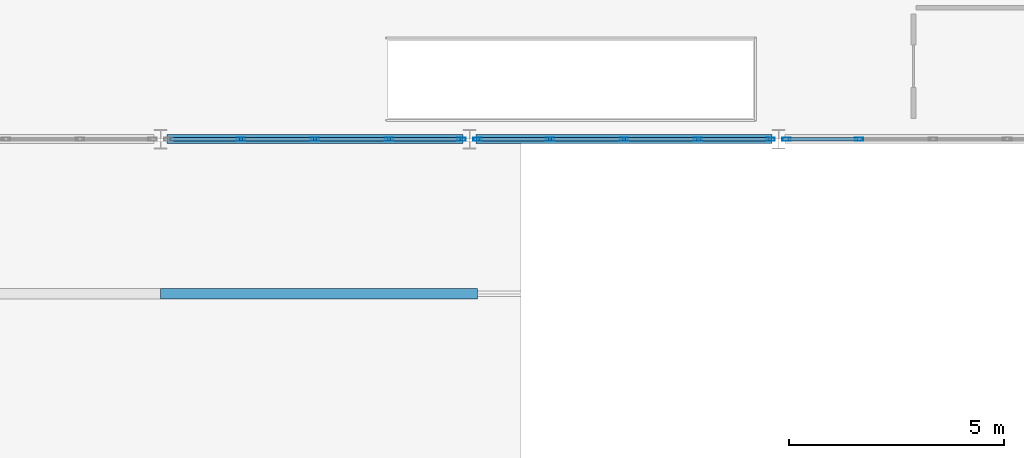
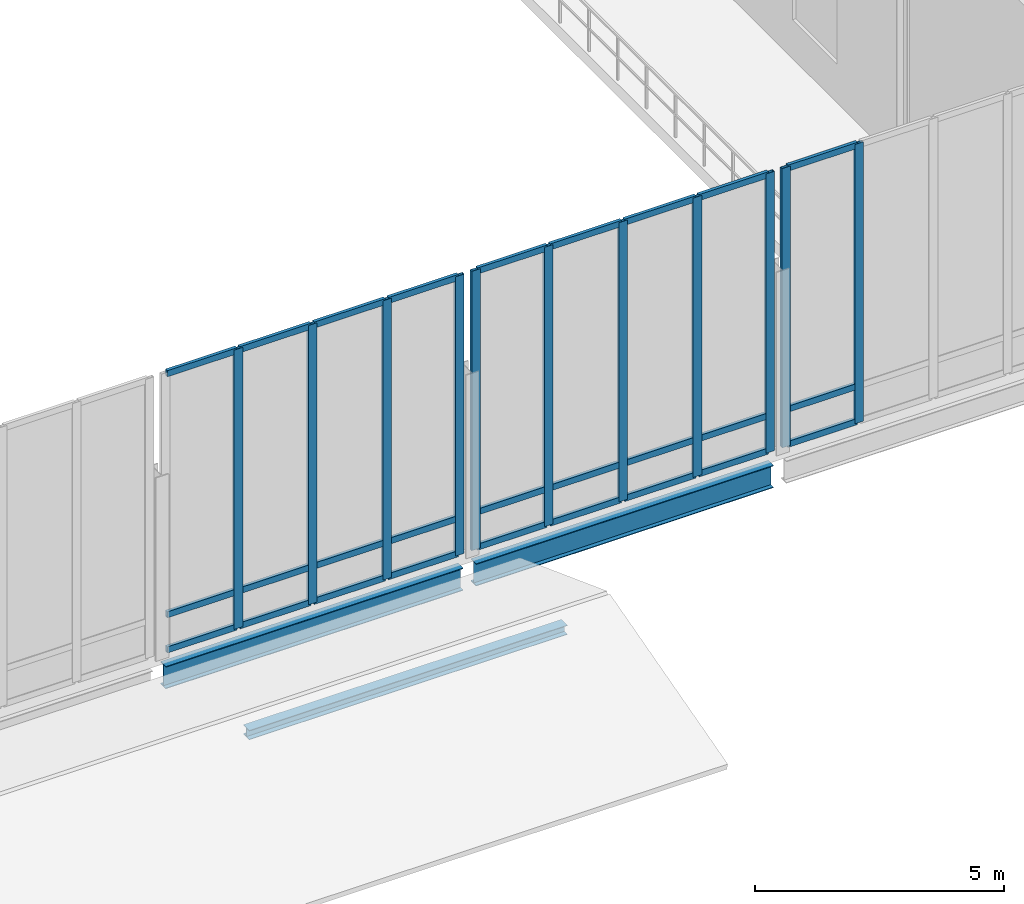
# One storey, part 24 of 110: 38 members, 3 beams, 3 elements without a shape of their own.
"""IFC4 building model written with IfcOpenShell, lengths in metres."""

from ifc_helpers import new_model, si_unit, direction, frame, origin, origin_2d, place, context, subcontext, project, spatial, hollow_rectangle, i_section, extrude, material, material_profile, profile_set, type_object, element, aggregate, save


model = new_model("IFC4")

# Units and contexts
model_context = context("Model", 3, precision=1e-05, world=origin(), true_north=direction((0.0, 1.0)))
body_context = subcontext(model_context, "Body", "Model", "MODEL_VIEW")
ifc_project = project(units=[si_unit("LENGTHUNIT", "METRE"), si_unit("AREAUNIT", "SQUARE_METRE"), si_unit("VOLUMEUNIT", "CUBIC_METRE"), si_unit("PLANEANGLEUNIT", "RADIAN"), si_unit("MASSUNIT", "GRAM", prefix="KILO")], contexts=[model_context])

# Site, building, storey
site_placement = place(None, origin())
site = spatial("IfcSite", under=ifc_project, at=site_placement, CompositionType="ELEMENT")
building_placement = place(site_placement, origin())
building = spatial("IfcBuilding", under=site, at=building_placement, Name="Suanplinth Sawtooth Commons", CompositionType="ELEMENT")
storey_placement = place(building_placement, frame((0.0, 0.0, 4.5)))
storey = spatial("IfcBuildingStorey", under=building, at=storey_placement, Name="L01", CompositionType="ELEMENT", Elevation=4.5)

# Beams
ifc_material_1 = material(Name="Steel S355JR", Category="steel")
ifc_material_profile_1 = material_profile(ifc_material_1, i_section(OverallWidth=0.2099609375, OverallDepth=0.550048828125, WebThickness=0.010986328125, FlangeThickness=0.01708984375, at=origin_2d()), Name="IPE 550")
ifc_profile_set_1 = profile_set([ifc_material_profile_1], Name="Steel S355JR")
beam_type_1 = type_object("IfcBeamType", Name="B-10", PredefinedType="USERDEFINED", material=ifc_profile_set_1)
beam_1_placement = place(storey_placement, frame((93.75, 50.39990234375, -0.574951171875), z_axis=(1.0, 0.0, 0.0), x_axis=(0.0, 1.0, 0.0)))
element("IfcBeam", 1, at=beam_1_placement, inside=storey, type_object=beam_type_1, Name="BMX-L01-HALL-13-7", ObjectType="GIRDER", PredefinedType="USERDEFINED", context=body_context, shape_type="SweptSolid", body=[
    extrude(i_section(OverallWidth=0.2099609375, OverallDepth=0.550048828125, WebThickness=0.010986328125, FlangeThickness=0.01708984375, at=origin_2d()), origin(), (0.0, 0.0, 1.0), 6.89990234375),
])
beam_2_placement = place(storey_placement, frame((100.949951171875, 50.39990234375, -0.574951171875), z_axis=(1.0, 0.0, 0.0), x_axis=(0.0, 1.0, 0.0)))
element("IfcBeam", 2, at=beam_2_placement, inside=storey, type_object=beam_type_1, Name="BMX-L01-HALL-14-7", ObjectType="GIRDER", PredefinedType="USERDEFINED", context=body_context, shape_type="SweptSolid", body=[
    extrude(i_section(OverallWidth=0.2099609375, OverallDepth=0.550048828125, WebThickness=0.010986328125, FlangeThickness=0.01708984375, at=origin_2d()), origin(), (0.0, 0.0, 1.0), 6.900146484375),
])
ifc_material_profile_2 = material_profile(ifc_material_1, i_section(OverallWidth=0.239990234375, OverallDepth=0.22998046875, WebThickness=0.007568359375, FlangeThickness=0.011962890625, at=origin_2d()), Name="HEA 240")
ifc_profile_set_2 = profile_set([ifc_material_profile_2], Name="Steel S355JR")
beam_type_2 = type_object("IfcBeamType", Name="B-17", PredefinedType="BEAM", material=ifc_profile_set_2)
beam_3_placement = place(storey_placement, frame((93.60009765625, 46.800048828125, 0.260009765625), z_axis=(1.0, 0.0, 0.0), x_axis=(0.0, 1.0, 0.0)))
element("IfcBeam", 3, at=beam_3_placement, inside=storey, type_object=beam_type_2, Name="Metro Portal Ridge Beam 3", PredefinedType="BEAM", context=body_context, shape_type="SweptSolid", body=[
    extrude(i_section(OverallWidth=0.239990234375, OverallDepth=0.22998046875, WebThickness=0.007568359375, FlangeThickness=0.011962890625, at=origin_2d()), origin(), (0.0, 0.0, 1.0), 7.3798828125),
])

# Curtain wall, members
ifc_material_2 = material(Name="Anodized aluminium and low-E glazing", Category="aluminium")
curtain_wall_type = type_object("IfcCurtainWallType", Name="CW-01", PredefinedType="USERDEFINED", material=ifc_material_2)
curtain_wall_1_placement = place(storey_placement, origin())
curtain_wall_1 = element("IfcCurtainWall", 4, at=curtain_wall_1_placement, inside=storey, type_object=curtain_wall_type, Name="Curtain Wall CW-L01-HALL-S-4", ObjectType="CURTAIN WALL", PredefinedType="USERDEFINED")
ifc_material_3 = material(Name="Anodized aluminium 6063-T6", Category="aluminium")
ifc_material_profile_3 = material_profile(ifc_material_3, hollow_rectangle(XDim=0.074951171875, YDim=0.199951171875, WallThickness=0.0048828125, at=origin_2d()), Name="ALU-MUL 75x200")
ifc_profile_set_3 = profile_set([ifc_material_profile_3], Name="Anodized aluminium 6063-T6")
member_type_1 = type_object("IfcMemberType", Name="M-14", PredefinedType="MULLION", material=ifc_profile_set_3)
member_1_placement = place(storey_placement, frame((95.47509765625, 50.39990234375, 0.0), z_axis=(0.0, 0.0, 1.0), x_axis=(0.0, 1.0, 0.0)))
member_1 = element("IfcMember", 5, at=member_1_placement, type_object=member_type_1, Name="CW-01 mullion 2", PredefinedType="MULLION", context=body_context, shape_type="SweptSolid", body=[
    extrude(hollow_rectangle(XDim=0.074951171875, YDim=0.199951171875, WallThickness=0.0048828125, at=origin_2d()), origin(), (0.0, 0.0, 1.0), 6.85009765625),
])
member_2_placement = place(storey_placement, frame((97.199951171875, 50.39990234375, 0.0), z_axis=(0.0, 0.0, 1.0), x_axis=(0.0, 1.0, 0.0)))
member_2 = element("IfcMember", 6, at=member_2_placement, type_object=member_type_1, Name="CW-01 mullion 3", PredefinedType="MULLION", context=body_context, shape_type="SweptSolid", body=[
    extrude(hollow_rectangle(XDim=0.074951171875, YDim=0.199951171875, WallThickness=0.0048828125, at=origin_2d()), origin(), (0.0, 0.0, 1.0), 6.85009765625),
])
member_3_placement = place(storey_placement, frame((98.925048828125, 50.39990234375, 0.0), z_axis=(0.0, 0.0, 1.0), x_axis=(0.0, 1.0, 0.0)))
member_3 = element("IfcMember", 7, at=member_3_placement, type_object=member_type_1, Name="CW-01 mullion 4", PredefinedType="MULLION", context=body_context, shape_type="SweptSolid", body=[
    extrude(hollow_rectangle(XDim=0.074951171875, YDim=0.199951171875, WallThickness=0.0048828125, at=origin_2d()), origin(), (0.0, 0.0, 1.0), 6.85009765625),
])
member_4_placement = place(storey_placement, frame((100.612548828125, 50.39990234375, 0.0), z_axis=(0.0, 0.0, 1.0), x_axis=(0.0, 1.0, 0.0)))
member_4 = element("IfcMember", 8, at=member_4_placement, type_object=member_type_1, Name="CW-01 mullion 5", PredefinedType="MULLION", context=body_context, shape_type="SweptSolid", body=[
    extrude(hollow_rectangle(XDim=0.074951171875, YDim=0.199951171875, WallThickness=0.0048828125, at=origin_2d()), origin(), (0.0, 0.0, 1.0), 6.85009765625),
])

curtain_wall_2_placement = place(storey_placement, origin())
curtain_wall_2 = element("IfcCurtainWall", 9, at=curtain_wall_2_placement, inside=storey, type_object=curtain_wall_type, Name="Curtain Wall CW-L01-HALL-S-5", ObjectType="CURTAIN WALL", PredefinedType="USERDEFINED")
member_5_placement = place(storey_placement, frame((100.987548828125, 50.39990234375, 0.0), z_axis=(0.0, 0.0, 1.0), x_axis=(0.0, 1.0, 0.0)))
member_5 = element("IfcMember", 10, at=member_5_placement, type_object=member_type_1, Name="CW-01 mullion 1", PredefinedType="MULLION", context=body_context, shape_type="SweptSolid", body=[
    extrude(hollow_rectangle(XDim=0.074951171875, YDim=0.199951171875, WallThickness=0.0048828125, at=origin_2d()), origin(), (0.0, 0.0, 1.0), 6.85009765625),
])
member_6_placement = place(storey_placement, frame((102.675048828125, 50.39990234375, 0.0), z_axis=(0.0, 0.0, 1.0), x_axis=(0.0, 1.0, 0.0)))
member_6 = element("IfcMember", 11, at=member_6_placement, type_object=member_type_1, Name="CW-01 mullion 2", PredefinedType="MULLION", context=body_context, shape_type="SweptSolid", body=[
    extrude(hollow_rectangle(XDim=0.074951171875, YDim=0.199951171875, WallThickness=0.0048828125, at=origin_2d()), origin(), (0.0, 0.0, 1.0), 6.85009765625),
])
member_7_placement = place(storey_placement, frame((104.39990234375, 50.39990234375, 0.0), z_axis=(0.0, 0.0, 1.0), x_axis=(0.0, 1.0, 0.0)))
member_7 = element("IfcMember", 12, at=member_7_placement, type_object=member_type_1, Name="CW-01 mullion 3", PredefinedType="MULLION", context=body_context, shape_type="SweptSolid", body=[
    extrude(hollow_rectangle(XDim=0.074951171875, YDim=0.199951171875, WallThickness=0.0048828125, at=origin_2d()), origin(), (0.0, 0.0, 1.0), 6.85009765625),
])
member_8_placement = place(storey_placement, frame((106.125, 50.39990234375, 0.0), z_axis=(0.0, 0.0, 1.0), x_axis=(0.0, 1.0, 0.0)))
member_8 = element("IfcMember", 13, at=member_8_placement, type_object=member_type_1, Name="CW-01 mullion 4", PredefinedType="MULLION", context=body_context, shape_type="SweptSolid", body=[
    extrude(hollow_rectangle(XDim=0.074951171875, YDim=0.199951171875, WallThickness=0.0048828125, at=origin_2d()), origin(), (0.0, 0.0, 1.0), 6.85009765625),
])
member_9_placement = place(storey_placement, frame((107.8125, 50.39990234375, 0.0), z_axis=(0.0, 0.0, 1.0), x_axis=(0.0, 1.0, 0.0)))
member_9 = element("IfcMember", 14, at=member_9_placement, type_object=member_type_1, Name="CW-01 mullion 5", PredefinedType="MULLION", context=body_context, shape_type="SweptSolid", body=[
    extrude(hollow_rectangle(XDim=0.074951171875, YDim=0.199951171875, WallThickness=0.0048828125, at=origin_2d()), origin(), (0.0, 0.0, 1.0), 6.85009765625),
])

curtain_wall_3_placement = place(storey_placement, origin())
curtain_wall_3 = element("IfcCurtainWall", 15, at=curtain_wall_3_placement, inside=storey, type_object=curtain_wall_type, Name="Curtain Wall CW-L01-HALL-S-6", ObjectType="CURTAIN WALL", PredefinedType="USERDEFINED")
member_10_placement = place(storey_placement, frame((108.1875, 50.39990234375, 0.0), z_axis=(0.0, 0.0, 1.0), x_axis=(0.0, 1.0, 0.0)))
member_10 = element("IfcMember", 16, at=member_10_placement, type_object=member_type_1, Name="CW-01 mullion 1", PredefinedType="MULLION", context=body_context, shape_type="SweptSolid", body=[
    extrude(hollow_rectangle(XDim=0.074951171875, YDim=0.199951171875, WallThickness=0.0048828125, at=origin_2d()), origin(), (0.0, 0.0, 1.0), 6.85009765625),
])
member_11_placement = place(storey_placement, frame((109.875, 50.39990234375, 0.0), z_axis=(0.0, 0.0, 1.0), x_axis=(0.0, 1.0, 0.0)))
member_11 = element("IfcMember", 17, at=member_11_placement, type_object=member_type_1, Name="CW-01 mullion 2", PredefinedType="MULLION", context=body_context, shape_type="SweptSolid", body=[
    extrude(hollow_rectangle(XDim=0.074951171875, YDim=0.199951171875, WallThickness=0.0048828125, at=origin_2d()), origin(), (0.0, 0.0, 1.0), 6.85009765625),
])

# Member
ifc_material_profile_4 = material_profile(ifc_material_3, hollow_rectangle(XDim=0.074951171875, YDim=0.14990234375, WallThickness=0.00439453125, at=origin_2d()), Name="ALU-TRN 75x150")
ifc_profile_set_4 = profile_set([ifc_material_profile_4], Name="Anodized aluminium 6063-T6")
member_type_2 = type_object("IfcMemberType", Name="M-16", PredefinedType="USERDEFINED", material=ifc_profile_set_4)
member_12_placement = place(storey_placement, frame((93.824951171875, 50.39990234375, 0.03759765625), z_axis=(1.0, 0.0, 0.0), x_axis=(0.0, 1.0, 0.0)))
member_12 = element("IfcMember", 18, at=member_12_placement, type_object=member_type_2, Name="CW-01 transom 1.1", ObjectType="TRANSOM", PredefinedType="USERDEFINED", context=body_context, shape_type="SweptSolid", body=[
    extrude(hollow_rectangle(XDim=0.074951171875, YDim=0.14990234375, WallThickness=0.00439453125, at=origin_2d()), origin(), (0.0, 0.0, 1.0), 1.612548828125),
])

member_13_placement = place(storey_placement, frame((93.824951171875, 50.39990234375, 0.89990234375), z_axis=(1.0, 0.0, 0.0), x_axis=(0.0, 1.0, 0.0)))
member_13 = element("IfcMember", 19, at=member_13_placement, type_object=member_type_2, Name="CW-01 transom 1.2", ObjectType="TRANSOM", PredefinedType="USERDEFINED", context=body_context, shape_type="SweptSolid", body=[
    extrude(hollow_rectangle(XDim=0.074951171875, YDim=0.14990234375, WallThickness=0.00439453125, at=origin_2d()), origin(), (0.0, 0.0, 1.0), 1.612548828125),
])

member_14_placement = place(storey_placement, frame((93.824951171875, 50.39990234375, 6.8125), z_axis=(1.0, 0.0, 0.0), x_axis=(0.0, 1.0, 0.0)))
member_14 = element("IfcMember", 20, at=member_14_placement, type_object=member_type_2, Name="CW-01 transom 1.3", ObjectType="TRANSOM", PredefinedType="USERDEFINED", context=body_context, shape_type="SweptSolid", body=[
    extrude(hollow_rectangle(XDim=0.074951171875, YDim=0.14990234375, WallThickness=0.00439453125, at=origin_2d()), origin(), (0.0, 0.0, 1.0), 1.612548828125),
])

member_15_placement = place(storey_placement, frame((95.512451171875, 50.39990234375, 0.03759765625), z_axis=(1.0, 0.0, 0.0), x_axis=(0.0, 1.0, 0.0)))
member_15 = element("IfcMember", 21, at=member_15_placement, type_object=member_type_2, Name="CW-01 transom 2.1", ObjectType="TRANSOM", PredefinedType="USERDEFINED", context=body_context, shape_type="SweptSolid", body=[
    extrude(hollow_rectangle(XDim=0.074951171875, YDim=0.14990234375, WallThickness=0.00439453125, at=origin_2d()), origin(), (0.0, 0.0, 1.0), 1.650146484375),
])

member_16_placement = place(storey_placement, frame((95.512451171875, 50.39990234375, 0.89990234375), z_axis=(1.0, 0.0, 0.0), x_axis=(0.0, 1.0, 0.0)))
member_16 = element("IfcMember", 22, at=member_16_placement, type_object=member_type_2, Name="CW-01 transom 2.2", ObjectType="TRANSOM", PredefinedType="USERDEFINED", context=body_context, shape_type="SweptSolid", body=[
    extrude(hollow_rectangle(XDim=0.074951171875, YDim=0.14990234375, WallThickness=0.00439453125, at=origin_2d()), origin(), (0.0, 0.0, 1.0), 1.650146484375),
])

member_17_placement = place(storey_placement, frame((95.512451171875, 50.39990234375, 6.8125), z_axis=(1.0, 0.0, 0.0), x_axis=(0.0, 1.0, 0.0)))
member_17 = element("IfcMember", 23, at=member_17_placement, type_object=member_type_2, Name="CW-01 transom 2.3", ObjectType="TRANSOM", PredefinedType="USERDEFINED", context=body_context, shape_type="SweptSolid", body=[
    extrude(hollow_rectangle(XDim=0.074951171875, YDim=0.14990234375, WallThickness=0.00439453125, at=origin_2d()), origin(), (0.0, 0.0, 1.0), 1.650146484375),
])

member_18_placement = place(storey_placement, frame((97.237548828125, 50.39990234375, 0.03759765625), z_axis=(1.0, 0.0, 0.0), x_axis=(0.0, 1.0, 0.0)))
member_18 = element("IfcMember", 24, at=member_18_placement, type_object=member_type_2, Name="CW-01 transom 3.1", ObjectType="TRANSOM", PredefinedType="USERDEFINED", context=body_context, shape_type="SweptSolid", body=[
    extrude(hollow_rectangle(XDim=0.074951171875, YDim=0.14990234375, WallThickness=0.00439453125, at=origin_2d()), origin(), (0.0, 0.0, 1.0), 1.64990234375),
])

member_19_placement = place(storey_placement, frame((97.237548828125, 50.39990234375, 0.89990234375), z_axis=(1.0, 0.0, 0.0), x_axis=(0.0, 1.0, 0.0)))
member_19 = element("IfcMember", 25, at=member_19_placement, type_object=member_type_2, Name="CW-01 transom 3.2", ObjectType="TRANSOM", PredefinedType="USERDEFINED", context=body_context, shape_type="SweptSolid", body=[
    extrude(hollow_rectangle(XDim=0.074951171875, YDim=0.14990234375, WallThickness=0.00439453125, at=origin_2d()), origin(), (0.0, 0.0, 1.0), 1.64990234375),
])

member_20_placement = place(storey_placement, frame((97.237548828125, 50.39990234375, 6.8125), z_axis=(1.0, 0.0, 0.0), x_axis=(0.0, 1.0, 0.0)))
member_20 = element("IfcMember", 26, at=member_20_placement, type_object=member_type_2, Name="CW-01 transom 3.3", ObjectType="TRANSOM", PredefinedType="USERDEFINED", context=body_context, shape_type="SweptSolid", body=[
    extrude(hollow_rectangle(XDim=0.074951171875, YDim=0.14990234375, WallThickness=0.00439453125, at=origin_2d()), origin(), (0.0, 0.0, 1.0), 1.64990234375),
])

member_21_placement = place(storey_placement, frame((98.96240234375, 50.39990234375, 0.03759765625), z_axis=(1.0, 0.0, 0.0), x_axis=(0.0, 1.0, 0.0)))
member_21 = element("IfcMember", 27, at=member_21_placement, type_object=member_type_2, Name="CW-01 transom 4.1", ObjectType="TRANSOM", PredefinedType="USERDEFINED", context=body_context, shape_type="SweptSolid", body=[
    extrude(hollow_rectangle(XDim=0.074951171875, YDim=0.14990234375, WallThickness=0.00439453125, at=origin_2d()), origin(), (0.0, 0.0, 1.0), 1.612548828125),
])

member_22_placement = place(storey_placement, frame((98.96240234375, 50.39990234375, 0.89990234375), z_axis=(1.0, 0.0, 0.0), x_axis=(0.0, 1.0, 0.0)))
member_22 = element("IfcMember", 28, at=member_22_placement, type_object=member_type_2, Name="CW-01 transom 4.2", ObjectType="TRANSOM", PredefinedType="USERDEFINED", context=body_context, shape_type="SweptSolid", body=[
    extrude(hollow_rectangle(XDim=0.074951171875, YDim=0.14990234375, WallThickness=0.00439453125, at=origin_2d()), origin(), (0.0, 0.0, 1.0), 1.612548828125),
])

member_23_placement = place(storey_placement, frame((98.96240234375, 50.39990234375, 6.8125), z_axis=(1.0, 0.0, 0.0), x_axis=(0.0, 1.0, 0.0)))
member_23 = element("IfcMember", 29, at=member_23_placement, type_object=member_type_2, Name="CW-01 transom 4.3", ObjectType="TRANSOM", PredefinedType="USERDEFINED", context=body_context, shape_type="SweptSolid", body=[
    extrude(hollow_rectangle(XDim=0.074951171875, YDim=0.14990234375, WallThickness=0.00439453125, at=origin_2d()), origin(), (0.0, 0.0, 1.0), 1.612548828125),
])

aggregate(curtain_wall_1, [member_1, member_2, member_3, member_4, member_12, member_13, member_14, member_15, member_16, member_17, member_18, member_19, member_20, member_21, member_22, member_23])

member_24_placement = place(storey_placement, frame((101.02490234375, 50.39990234375, 0.03759765625), z_axis=(1.0, 0.0, 0.0), x_axis=(0.0, 1.0, 0.0)))
member_24 = element("IfcMember", 30, at=member_24_placement, type_object=member_type_2, Name="CW-01 transom 1.1", ObjectType="TRANSOM", PredefinedType="USERDEFINED", context=body_context, shape_type="SweptSolid", body=[
    extrude(hollow_rectangle(XDim=0.074951171875, YDim=0.14990234375, WallThickness=0.00439453125, at=origin_2d()), origin(), (0.0, 0.0, 1.0), 1.612548828125),
])

member_25_placement = place(storey_placement, frame((101.02490234375, 50.39990234375, 0.89990234375), z_axis=(1.0, 0.0, 0.0), x_axis=(0.0, 1.0, 0.0)))
member_25 = element("IfcMember", 31, at=member_25_placement, type_object=member_type_2, Name="CW-01 transom 1.2", ObjectType="TRANSOM", PredefinedType="USERDEFINED", context=body_context, shape_type="SweptSolid", body=[
    extrude(hollow_rectangle(XDim=0.074951171875, YDim=0.14990234375, WallThickness=0.00439453125, at=origin_2d()), origin(), (0.0, 0.0, 1.0), 1.612548828125),
])

member_26_placement = place(storey_placement, frame((101.02490234375, 50.39990234375, 6.8125), z_axis=(1.0, 0.0, 0.0), x_axis=(0.0, 1.0, 0.0)))
member_26 = element("IfcMember", 32, at=member_26_placement, type_object=member_type_2, Name="CW-01 transom 1.3", ObjectType="TRANSOM", PredefinedType="USERDEFINED", context=body_context, shape_type="SweptSolid", body=[
    extrude(hollow_rectangle(XDim=0.074951171875, YDim=0.14990234375, WallThickness=0.00439453125, at=origin_2d()), origin(), (0.0, 0.0, 1.0), 1.612548828125),
])

member_27_placement = place(storey_placement, frame((102.71240234375, 50.39990234375, 0.03759765625), z_axis=(1.0, 0.0, 0.0), x_axis=(0.0, 1.0, 0.0)))
member_27 = element("IfcMember", 33, at=member_27_placement, type_object=member_type_2, Name="CW-01 transom 2.1", ObjectType="TRANSOM", PredefinedType="USERDEFINED", context=body_context, shape_type="SweptSolid", body=[
    extrude(hollow_rectangle(XDim=0.074951171875, YDim=0.14990234375, WallThickness=0.00439453125, at=origin_2d()), origin(), (0.0, 0.0, 1.0), 1.650146484375),
])

member_28_placement = place(storey_placement, frame((102.71240234375, 50.39990234375, 0.89990234375), z_axis=(1.0, 0.0, 0.0), x_axis=(0.0, 1.0, 0.0)))
member_28 = element("IfcMember", 34, at=member_28_placement, type_object=member_type_2, Name="CW-01 transom 2.2", ObjectType="TRANSOM", PredefinedType="USERDEFINED", context=body_context, shape_type="SweptSolid", body=[
    extrude(hollow_rectangle(XDim=0.074951171875, YDim=0.14990234375, WallThickness=0.00439453125, at=origin_2d()), origin(), (0.0, 0.0, 1.0), 1.650146484375),
])

member_29_placement = place(storey_placement, frame((102.71240234375, 50.39990234375, 6.8125), z_axis=(1.0, 0.0, 0.0), x_axis=(0.0, 1.0, 0.0)))
member_29 = element("IfcMember", 35, at=member_29_placement, type_object=member_type_2, Name="CW-01 transom 2.3", ObjectType="TRANSOM", PredefinedType="USERDEFINED", context=body_context, shape_type="SweptSolid", body=[
    extrude(hollow_rectangle(XDim=0.074951171875, YDim=0.14990234375, WallThickness=0.00439453125, at=origin_2d()), origin(), (0.0, 0.0, 1.0), 1.650146484375),
])

member_30_placement = place(storey_placement, frame((104.4375, 50.39990234375, 0.03759765625), z_axis=(1.0, 0.0, 0.0), x_axis=(0.0, 1.0, 0.0)))
member_30 = element("IfcMember", 36, at=member_30_placement, type_object=member_type_2, Name="CW-01 transom 3.1", ObjectType="TRANSOM", PredefinedType="USERDEFINED", context=body_context, shape_type="SweptSolid", body=[
    extrude(hollow_rectangle(XDim=0.074951171875, YDim=0.14990234375, WallThickness=0.00439453125, at=origin_2d()), origin(), (0.0, 0.0, 1.0), 1.64990234375),
])

member_31_placement = place(storey_placement, frame((104.4375, 50.39990234375, 0.89990234375), z_axis=(1.0, 0.0, 0.0), x_axis=(0.0, 1.0, 0.0)))
member_31 = element("IfcMember", 37, at=member_31_placement, type_object=member_type_2, Name="CW-01 transom 3.2", ObjectType="TRANSOM", PredefinedType="USERDEFINED", context=body_context, shape_type="SweptSolid", body=[
    extrude(hollow_rectangle(XDim=0.074951171875, YDim=0.14990234375, WallThickness=0.00439453125, at=origin_2d()), origin(), (0.0, 0.0, 1.0), 1.64990234375),
])

member_32_placement = place(storey_placement, frame((104.4375, 50.39990234375, 6.8125), z_axis=(1.0, 0.0, 0.0), x_axis=(0.0, 1.0, 0.0)))
member_32 = element("IfcMember", 38, at=member_32_placement, type_object=member_type_2, Name="CW-01 transom 3.3", ObjectType="TRANSOM", PredefinedType="USERDEFINED", context=body_context, shape_type="SweptSolid", body=[
    extrude(hollow_rectangle(XDim=0.074951171875, YDim=0.14990234375, WallThickness=0.00439453125, at=origin_2d()), origin(), (0.0, 0.0, 1.0), 1.64990234375),
])

member_33_placement = place(storey_placement, frame((106.16259765625, 50.39990234375, 0.03759765625), z_axis=(1.0, 0.0, 0.0), x_axis=(0.0, 1.0, 0.0)))
member_33 = element("IfcMember", 39, at=member_33_placement, type_object=member_type_2, Name="CW-01 transom 4.1", ObjectType="TRANSOM", PredefinedType="USERDEFINED", context=body_context, shape_type="SweptSolid", body=[
    extrude(hollow_rectangle(XDim=0.074951171875, YDim=0.14990234375, WallThickness=0.00439453125, at=origin_2d()), origin(), (0.0, 0.0, 1.0), 1.6123046875),
])

member_34_placement = place(storey_placement, frame((106.16259765625, 50.39990234375, 0.89990234375), z_axis=(1.0, 0.0, 0.0), x_axis=(0.0, 1.0, 0.0)))
member_34 = element("IfcMember", 40, at=member_34_placement, type_object=member_type_2, Name="CW-01 transom 4.2", ObjectType="TRANSOM", PredefinedType="USERDEFINED", context=body_context, shape_type="SweptSolid", body=[
    extrude(hollow_rectangle(XDim=0.074951171875, YDim=0.14990234375, WallThickness=0.00439453125, at=origin_2d()), origin(), (0.0, 0.0, 1.0), 1.6123046875),
])

member_35_placement = place(storey_placement, frame((106.16259765625, 50.39990234375, 6.8125), z_axis=(1.0, 0.0, 0.0), x_axis=(0.0, 1.0, 0.0)))
member_35 = element("IfcMember", 41, at=member_35_placement, type_object=member_type_2, Name="CW-01 transom 4.3", ObjectType="TRANSOM", PredefinedType="USERDEFINED", context=body_context, shape_type="SweptSolid", body=[
    extrude(hollow_rectangle(XDim=0.074951171875, YDim=0.14990234375, WallThickness=0.00439453125, at=origin_2d()), origin(), (0.0, 0.0, 1.0), 1.6123046875),
])

aggregate(curtain_wall_2, [member_5, member_6, member_7, member_8, member_9, member_24, member_25, member_26, member_27, member_28, member_29, member_30, member_31, member_32, member_33, member_34, member_35])

member_36_placement = place(storey_placement, frame((108.22509765625, 50.39990234375, 0.03759765625), z_axis=(1.0, 0.0, 0.0), x_axis=(0.0, 1.0, 0.0)))
member_36 = element("IfcMember", 42, at=member_36_placement, type_object=member_type_2, Name="CW-01 transom 1.1", ObjectType="TRANSOM", PredefinedType="USERDEFINED", context=body_context, shape_type="SweptSolid", body=[
    extrude(hollow_rectangle(XDim=0.074951171875, YDim=0.14990234375, WallThickness=0.00439453125, at=origin_2d()), origin(), (0.0, 0.0, 1.0), 1.6123046875),
])

member_37_placement = place(storey_placement, frame((108.22509765625, 50.39990234375, 0.89990234375), z_axis=(1.0, 0.0, 0.0), x_axis=(0.0, 1.0, 0.0)))
member_37 = element("IfcMember", 43, at=member_37_placement, type_object=member_type_2, Name="CW-01 transom 1.2", ObjectType="TRANSOM", PredefinedType="USERDEFINED", context=body_context, shape_type="SweptSolid", body=[
    extrude(hollow_rectangle(XDim=0.074951171875, YDim=0.14990234375, WallThickness=0.00439453125, at=origin_2d()), origin(), (0.0, 0.0, 1.0), 1.6123046875),
])

member_38_placement = place(storey_placement, frame((108.22509765625, 50.39990234375, 6.8125), z_axis=(1.0, 0.0, 0.0), x_axis=(0.0, 1.0, 0.0)))
member_38 = element("IfcMember", 44, at=member_38_placement, type_object=member_type_2, Name="CW-01 transom 1.3", ObjectType="TRANSOM", PredefinedType="USERDEFINED", context=body_context, shape_type="SweptSolid", body=[
    extrude(hollow_rectangle(XDim=0.074951171875, YDim=0.14990234375, WallThickness=0.00439453125, at=origin_2d()), origin(), (0.0, 0.0, 1.0), 1.6123046875),
])

aggregate(curtain_wall_3, [member_10, member_11, member_36, member_37, member_38])

save(model, "model.ifc")
